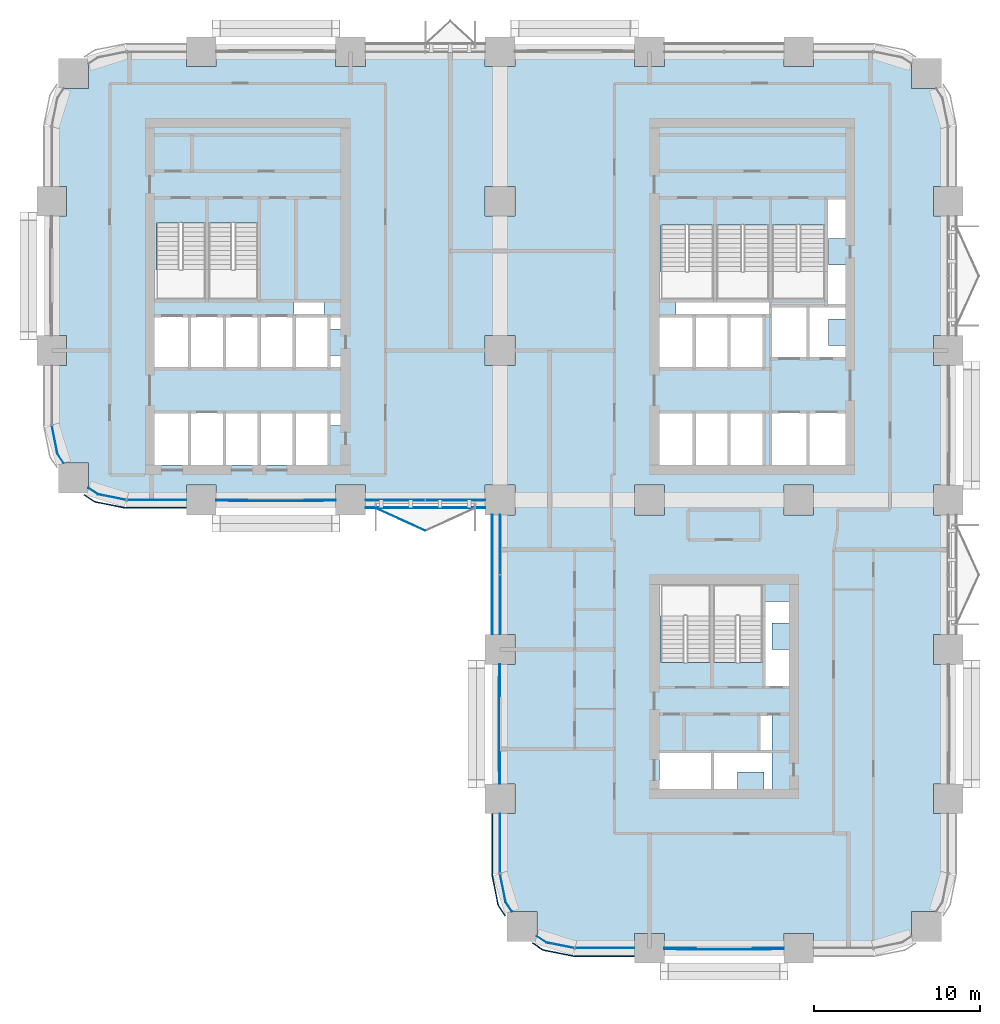
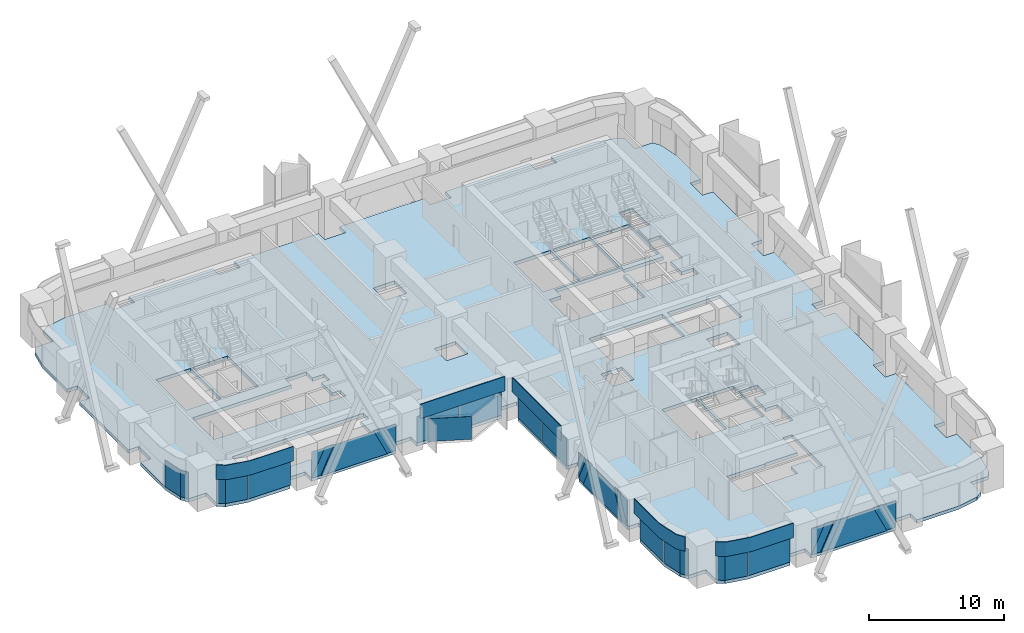
# One storey, part 10 of 19: 32 plates, 1 slab, 9 elements without a shape of their own.
"""IFC4 building model written with IfcOpenShell, lengths in metres."""

from ifc_helpers import new_model, si_unit, direction, frame, origin, origin_2d, place, context, subcontext, project, spatial, polyline, rectangle, outline, extrude, material, layer, layer_set, type_object, element, aggregate, save


model = new_model("IFC4")

# Units and contexts
model_context = context("Model", 3, precision=1e-05, world=origin(), true_north=direction((0.0, 1.0)))
body_context = subcontext(model_context, "Body", "Model", "MODEL_VIEW")
ifc_project = project(units=[si_unit("LENGTHUNIT", "METRE"), si_unit("AREAUNIT", "SQUARE_METRE"), si_unit("VOLUMEUNIT", "CUBIC_METRE"), si_unit("PLANEANGLEUNIT", "RADIAN"), si_unit("MASSUNIT", "GRAM", prefix="KILO")], contexts=[model_context])

# Site, building, storey
site_placement = place(None, origin())
site = spatial("IfcSite", under=ifc_project, at=site_placement, CompositionType="ELEMENT")
building_placement = place(site_placement, origin())
building = spatial("IfcBuilding", under=site, at=building_placement, Name="Tessera Arch", CompositionType="ELEMENT")
storey_placement = place(building_placement, frame((0.0, 0.0, 93.0)))
storey = spatial("IfcBuildingStorey", under=building, at=storey_placement, Name="L21", CompositionType="ELEMENT", Elevation=93.0)

# Curtain wall, plates
ifc_material_1 = material(Name="CW1 curtain wall")
curtain_wall_type_1 = type_object("IfcCurtainWallType", Name="CW1 curtain wall", PredefinedType="NOTDEFINED", material=ifc_material_1)
curtain_wall_1_placement = place(storey_placement, origin())
curtain_wall_1 = element("IfcCurtainWall", 1, at=curtain_wall_1_placement, inside=storey, type_object=curtain_wall_type_1, Name="CW1 curtain wall S27.0/2 L21", PredefinedType="NOTDEFINED")
ifc_material_2 = material(Name="Clear low-e glass", Category="glass")
ifc_material_3 = material(Name="Clear low-e glass", Category="glass")
ifc_layer_1 = layer(ifc_material_3, 0.028076171875)
ifc_layer_set_1 = layer_set([ifc_layer_1], Name="CW1 glass panel")
plate_type_1 = type_object("IfcPlateType", Name="CW1 glass panel", PredefinedType="CURTAIN_PANEL", material=ifc_layer_set_1)
plate_1_placement = place(storey_placement, frame((20.68505859375, 27.0, 0.0), z_axis=(0.0, 0.0, 1.0), x_axis=(1.0, 0.0, 0.0)))
plate_1 = element("IfcPlate", 2, at=plate_1_placement, type_object=plate_type_1, material=ifc_material_2, Name="CW1 glass panel S27.0/2 1.1.1", PredefinedType="CURTAIN_PANEL", context=body_context, shape_type="SweptSolid", body=[
    extrude(rectangle(XDim=3.570068359375, YDim=0.028076171875, at=origin_2d()), origin(), (0.0, 0.0, 1.0), 2.39990234375),
])
plate_2_placement = place(storey_placement, frame((24.31494140625, 27.0, 0.0), z_axis=(0.0, 0.0, 1.0), x_axis=(1.0, 0.0, 0.0)))
plate_2 = element("IfcPlate", 3, at=plate_2_placement, type_object=plate_type_1, material=ifc_material_2, Name="CW1 glass panel S27.0/2 1.2.1", PredefinedType="CURTAIN_PANEL", context=body_context, shape_type="SweptSolid", body=[
    extrude(rectangle(XDim=3.570068359375, YDim=0.028076171875, at=origin_2d()), origin(), (0.0, 0.0, 1.0), 2.39990234375),
])

curtain_wall_2_placement = place(storey_placement, origin())
curtain_wall_2 = element("IfcCurtainWall", 4, at=curtain_wall_2_placement, inside=storey, type_object=curtain_wall_type_1, Name="CW1 curtain wall W27.0/0 L21", PredefinedType="NOTDEFINED")
plate_3_placement = place(storey_placement, frame((27.0, 24.31494140625, 0.0), z_axis=(0.0, 0.0, 1.0), x_axis=(0.0, -1.0, 0.0)))
plate_3 = element("IfcPlate", 5, at=plate_3_placement, type_object=plate_type_1, material=ifc_material_2, Name="CW1 glass panel W27.0/0 1.1.1", PredefinedType="CURTAIN_PANEL", context=body_context, shape_type="SweptSolid", body=[
    extrude(rectangle(XDim=3.570068359375, YDim=0.028076171875, at=origin_2d()), origin(), (0.0, 0.0, 1.0), 2.39990234375),
])
plate_4_placement = place(storey_placement, frame((27.0, 20.68505859375, 0.0), z_axis=(0.0, 0.0, 1.0), x_axis=(0.0, -1.0, 0.0)))
plate_4 = element("IfcPlate", 6, at=plate_4_placement, type_object=plate_type_1, material=ifc_material_2, Name="CW1 glass panel W27.0/0 1.2.1", PredefinedType="CURTAIN_PANEL", context=body_context, shape_type="SweptSolid", body=[
    extrude(rectangle(XDim=3.570068359375, YDim=0.028076171875, at=origin_2d()), origin(), (0.0, 0.0, 1.0), 2.39990234375),
])

# Plate
ifc_material_4 = material(Name="Pale anodised aluminium panel", Category="aluminium")
ifc_layer_2 = layer(ifc_material_4, 0.06005859375)
ifc_layer_set_2 = layer_set([ifc_layer_2], Name="CW1 spandrel panel")
plate_type_2 = type_object("IfcPlateType", Name="CW1 spandrel panel", PredefinedType="CURTAIN_PANEL", material=ifc_layer_set_2)
plate_5_placement = place(storey_placement, frame((22.5, 26.52001953125, 2.5), z_axis=(0.0, 0.0, 1.0), x_axis=(1.0, 0.0, 0.0)))
plate_5 = element("IfcPlate", 7, at=plate_5_placement, type_object=plate_type_2, Name="CW1 spandrel panel S27.0/2", PredefinedType="CURTAIN_PANEL", context=body_context, shape_type="SweptSolid", body=[
    extrude(rectangle(XDim=7.199951171875, YDim=0.06005859375, at=origin_2d()), origin(), (0.0, 0.0, 1.0), 1.300048828125),
])

aggregate(curtain_wall_1, [plate_1, plate_2, plate_5])

plate_6_placement = place(storey_placement, frame((26.52001953125, 22.5, 2.5), z_axis=(0.0, 0.0, 1.0), x_axis=(0.0, -1.0, 0.0)))
plate_6 = element("IfcPlate", 8, at=plate_6_placement, type_object=plate_type_2, Name="CW1 spandrel panel W27.0/0", PredefinedType="CURTAIN_PANEL", context=body_context, shape_type="SweptSolid", body=[
    extrude(rectangle(XDim=7.199951171875, YDim=0.06005859375, at=origin_2d()), origin(), (0.0, 0.0, 1.0), 1.300048828125),
])

aggregate(curtain_wall_2, [plate_3, plate_4, plate_6])

# Curtain wall, plate
ifc_material_5 = material(Name="CW2 curtain wall")
curtain_wall_type_2 = type_object("IfcCurtainWallType", Name="CW2 curtain wall", PredefinedType="NOTDEFINED", material=ifc_material_5)
curtain_wall_3_placement = place(storey_placement, origin())
curtain_wall_3 = element("IfcCurtainWall", 9, at=curtain_wall_3_placement, inside=storey, type_object=curtain_wall_type_2, Name="CW2 curtain wall W0.27/2 L21", PredefinedType="NOTDEFINED")
ifc_material_6 = material(Name="Clear low-e glass", Category="glass")
ifc_layer_3 = layer(ifc_material_6, 0.028076171875)
ifc_layer_set_3 = layer_set([ifc_layer_3], Name="CW2 glass panel")
plate_type_3 = type_object("IfcPlateType", Name="CW2 glass panel", PredefinedType="CURTAIN_PANEL", material=ifc_layer_set_3)
plate_7_placement = place(storey_placement, origin())
plate_7 = element("IfcPlate", 10, at=plate_7_placement, type_object=plate_type_3, material=ifc_material_2, Name="CW2 curved glass panel W0.27/2 2.1", PredefinedType="CURTAIN_PANEL", context=body_context, shape_type="SweptSolid", body=[
    extrude(outline(polyline([(0.355712890625, 29.783447265625), (0.021484375, 31.46337890625), (-0.005859375, 31.4580078125), (0.329345703125, 29.7724609375), (0.705078125, 29.210205078125), (0.728271484375, 29.225830078125), (0.355712890625, 29.783447265625)])), origin(), (0.0, 0.0, 1.0), 2.39990234375),
])
aggregate(curtain_wall_3, [plate_7])

# Curtain wall, plates
curtain_wall_4_placement = place(storey_placement, origin())
curtain_wall_4 = element("IfcCurtainWall", 11, at=curtain_wall_4_placement, inside=storey, type_object=curtain_wall_type_2, Name="CW2 curtain wall S27.0/0 L21", PredefinedType="NOTDEFINED")
plate_8_placement = place(storey_placement, frame((6.320068359375, 27.0, 0.0), z_axis=(0.0, 0.0, 1.0), x_axis=(1.0, 0.0, 0.0)))
plate_8 = element("IfcPlate", 12, at=plate_8_placement, type_object=plate_type_3, material=ifc_material_2, Name="CW2 glass panel S27.0/0 1.1", PredefinedType="CURTAIN_PANEL", context=body_context, shape_type="SweptSolid", body=[
    extrude(rectangle(XDim=3.56005859375, YDim=0.028076171875, at=origin_2d()), origin(), (0.0, 0.0, 1.0), 2.39990234375),
])
plate_9_placement = place(storey_placement, origin())
plate_9 = element("IfcPlate", 13, at=plate_9_placement, type_object=plate_type_3, material=ifc_material_2, Name="CW2 curved glass panel S27.0/0 2.1", PredefinedType="CURTAIN_PANEL", context=body_context, shape_type="SweptSolid", body=[
    extrude(outline(polyline([(2.783447265625, 27.355712890625), (2.225830078125, 27.728271484375), (2.210205078125, 27.705078125), (2.7724609375, 27.329345703125), (4.4580078125, 26.994140625), (4.46337890625, 27.021484375), (2.783447265625, 27.355712890625)])), origin(), (0.0, 0.0, 1.0), 2.39990234375),
])

curtain_wall_5_placement = place(storey_placement, origin())
curtain_wall_5 = element("IfcCurtainWall", 14, at=curtain_wall_5_placement, inside=storey, type_object=curtain_wall_type_2, Name="CW2 curtain wall W27.0/2 L21", PredefinedType="NOTDEFINED")
plate_10_placement = place(storey_placement, frame((27.0, 6.320068359375, 0.0), z_axis=(0.0, 0.0, 1.0), x_axis=(0.0, -1.0, 0.0)))
plate_10 = element("IfcPlate", 15, at=plate_10_placement, type_object=plate_type_3, material=ifc_material_2, Name="CW2 glass panel W27.0/2 1.1", PredefinedType="CURTAIN_PANEL", context=body_context, shape_type="SweptSolid", body=[
    extrude(rectangle(XDim=3.56005859375, YDim=0.028076171875, at=origin_2d()), origin(), (0.0, 0.0, 1.0), 2.39990234375),
])
plate_11_placement = place(storey_placement, origin())
plate_11 = element("IfcPlate", 16, at=plate_11_placement, type_object=plate_type_3, material=ifc_material_2, Name="CW2 curved glass panel W27.0/2 2.1", PredefinedType="CURTAIN_PANEL", context=body_context, shape_type="SweptSolid", body=[
    extrude(outline(polyline([(27.355712890625, 2.783447265625), (27.021484375, 4.46337890625), (26.994140625, 4.4580078125), (27.329345703125, 2.7724609375), (27.705078125, 2.210205078125), (27.728271484375, 2.225830078125), (27.355712890625, 2.783447265625)])), origin(), (0.0, 0.0, 1.0), 2.39990234375),
])

curtain_wall_6_placement = place(storey_placement, origin())
curtain_wall_6 = element("IfcCurtainWall", 17, at=curtain_wall_6_placement, inside=storey, type_object=curtain_wall_type_2, Name="CW2 curtain wall S0.27/0 L21", PredefinedType="NOTDEFINED")
plate_12_placement = place(storey_placement, frame((33.320068359375, 0.0, 0.0), z_axis=(0.0, 0.0, 1.0), x_axis=(1.0, 0.0, 0.0)))
plate_12 = element("IfcPlate", 18, at=plate_12_placement, type_object=plate_type_3, material=ifc_material_2, Name="CW2 glass panel S0.27/0 1.1", PredefinedType="CURTAIN_PANEL", context=body_context, shape_type="SweptSolid", body=[
    extrude(rectangle(XDim=3.56005859375, YDim=0.028076171875, at=origin_2d()), origin(), (0.0, 0.0, 1.0), 2.39990234375),
])
plate_13_placement = place(storey_placement, origin())
plate_13 = element("IfcPlate", 19, at=plate_13_placement, type_object=plate_type_3, material=ifc_material_2, Name="CW2 curved glass panel S0.27/0 2.1", PredefinedType="CURTAIN_PANEL", context=body_context, shape_type="SweptSolid", body=[
    extrude(outline(polyline([(29.783447265625, 0.355712890625), (29.225830078125, 0.728271484375), (29.210205078125, 0.705078125), (29.7724609375, 0.329345703125), (31.4580078125, -0.005859375), (31.46337890625, 0.021484375), (29.783447265625, 0.355712890625)])), origin(), (0.0, 0.0, 1.0), 2.39990234375),
])

# Plate
ifc_material_7 = material(Name="Pale anodised aluminium panel", Category="aluminium")
ifc_layer_4 = layer(ifc_material_7, 0.06005859375)
ifc_layer_set_4 = layer_set([ifc_layer_4], Name="CW2 spandrel panel")
plate_type_4 = type_object("IfcPlateType", Name="CW2 spandrel panel", PredefinedType="CURTAIN_PANEL", material=ifc_layer_set_4)
plate_14_placement = place(storey_placement, frame((0.0, 0.0, 2.5)))
plate_14 = element("IfcPlate", 20, at=plate_14_placement, type_object=plate_type_4, Name="CW2 spandrel panel S27.0/0", PredefinedType="CURTAIN_PANEL", context=body_context, shape_type="SweptSolid", body=[
    extrude(outline(polyline([(2.52734375, 26.96875), (1.968017578125, 27.342529296875), (1.9345703125, 27.292724609375), (2.4951171875, 26.91796875), (2.537353515625, 26.892822265625), (2.582763671875, 26.871337890625), (2.6298828125, 26.8544921875), (2.677734375, 26.842529296875), (4.401123046875, 26.499755859375), (4.449951171875, 26.492431640625), (4.499267578125, 26.489990234375), (8.10009765625, 26.489990234375), (8.10009765625, 26.550048828125), (4.500732421875, 26.550048828125), (4.455810546875, 26.55224609375), (4.411376953125, 26.558837890625), (2.69091796875, 26.90087890625), (2.647216796875, 26.911865234375), (2.605712890625, 26.9267578125), (2.565673828125, 26.94580078125), (2.52734375, 26.96875)])), origin(), (0.0, 0.0, 1.0), 1.300048828125),
])

aggregate(curtain_wall_4, [plate_8, plate_9, plate_14])

plate_15_placement = place(storey_placement, frame((0.0, 0.0, 2.5)))
plate_15 = element("IfcPlate", 21, at=plate_15_placement, type_object=plate_type_4, Name="CW2 spandrel panel W27.0/2", PredefinedType="CURTAIN_PANEL", context=body_context, shape_type="SweptSolid", body=[
    extrude(outline(polyline([(26.550048828125, 4.500732421875), (26.550048828125, 8.10009765625), (26.489990234375, 8.10009765625), (26.489990234375, 4.499267578125), (26.492431640625, 4.449951171875), (26.499755859375, 4.401123046875), (26.842529296875, 2.677734375), (26.8544921875, 2.6298828125), (26.871337890625, 2.582763671875), (26.892822265625, 2.537353515625), (26.91796875, 2.4951171875), (27.292724609375, 1.9345703125), (27.342529296875, 1.968017578125), (26.96875, 2.52734375), (26.94580078125, 2.565673828125), (26.9267578125, 2.605712890625), (26.911865234375, 2.647216796875), (26.90087890625, 2.69091796875), (26.558837890625, 4.411376953125), (26.55224609375, 4.455810546875), (26.550048828125, 4.500732421875)])), origin(), (0.0, 0.0, 1.0), 1.300048828125),
])

aggregate(curtain_wall_5, [plate_10, plate_11, plate_15])

plate_16_placement = place(storey_placement, frame((0.0, 0.0, 2.5)))
plate_16 = element("IfcPlate", 22, at=plate_16_placement, type_object=plate_type_4, Name="CW2 spandrel panel S0.27/0", PredefinedType="CURTAIN_PANEL", context=body_context, shape_type="SweptSolid", body=[
    extrude(outline(polyline([(29.52734375, -0.03125), (28.968017578125, 0.342529296875), (28.9345703125, 0.292724609375), (29.4951171875, -0.08203125), (29.537353515625, -0.107177734375), (29.582763671875, -0.128662109375), (29.6298828125, -0.1455078125), (29.677734375, -0.157470703125), (31.401123046875, -0.500244140625), (31.449951171875, -0.507568359375), (31.499267578125, -0.510009765625), (35.10009765625, -0.510009765625), (35.10009765625, -0.449951171875), (31.500732421875, -0.449951171875), (31.455810546875, -0.44775390625), (31.411376953125, -0.441162109375), (29.69091796875, -0.09912109375), (29.647216796875, -0.088134765625), (29.605712890625, -0.0732421875), (29.565673828125, -0.05419921875), (29.52734375, -0.03125)])), origin(), (0.0, 0.0, 1.0), 1.300048828125),
])

aggregate(curtain_wall_6, [plate_12, plate_13, plate_16])

# Curtain wall, plates
ifc_material_8 = material(Name="CW3 curtain wall")
curtain_wall_type_3 = type_object("IfcCurtainWallType", Name="CW3 curtain wall", PredefinedType="NOTDEFINED", material=ifc_material_8)
curtain_wall_7_placement = place(storey_placement, origin())
curtain_wall_7 = element("IfcCurtainWall", 23, at=curtain_wall_7_placement, inside=storey, type_object=curtain_wall_type_3, Name="CW3 curtain wall S27.0/1 L21", PredefinedType="NOTDEFINED")
ifc_material_9 = material(Name="Pale anodised aluminium panel", Category="aluminium")
ifc_layer_5 = layer(ifc_material_9, 0.06005859375)
ifc_layer_set_5 = layer_set([ifc_layer_5], Name="CW3 diagonal panel")
plate_type_5 = type_object("IfcPlateType", Name="CW3 diagonal panel", PredefinedType="CURTAIN_PANEL", material=ifc_layer_set_5)
plate_17_placement = place(storey_placement, frame((17.10009765625, 26.969970703125, 0.0), z_axis=(0.0, -1.0, 0.0), x_axis=(0.0, 0.0, 1.0)))
plate_17 = element("IfcPlate", 24, at=plate_17_placement, type_object=plate_type_5, Name="CW3 diagonal panel S27.0/1 1", PredefinedType="CURTAIN_PANEL", context=body_context, shape_type="SweptSolid", body=[
    extrude(outline(polyline([(0.0, 0.0), (0.04248046875, 0.0), (2.39990234375, 1.11669921875), (2.39990234375, 1.9150390625), (0.0, 0.778076171875), (0.0, 0.0)])), origin(), (0.0, 0.0, -1.0), 0.06005859375),
])
plate_18_placement = place(storey_placement, frame((11.81494140625, 26.969970703125, 2.39990234375), z_axis=(0.0, -1.0, 0.0), x_axis=(-1.0, 0.0, 0.0)))
plate_18 = element("IfcPlate", 25, at=plate_18_placement, type_object=plate_type_5, Name="CW3 diagonal panel S27.0/1 2", PredefinedType="CURTAIN_PANEL", context=body_context, shape_type="SweptSolid", body=[
    extrude(outline(polyline([(0.0, 0.0), (0.79833984375, 0.0), (1.9150390625, 2.357421875), (1.9150390625, 2.39990234375), (1.136962890625, 2.39990234375), (0.0, 0.0)])), origin(), (0.0, 0.0, -1.0), 0.06005859375),
])

curtain_wall_8_placement = place(storey_placement, origin())
curtain_wall_8 = element("IfcCurtainWall", 26, at=curtain_wall_8_placement, inside=storey, type_object=curtain_wall_type_3, Name="CW3 curtain wall W27.0/1 L21", PredefinedType="NOTDEFINED")
plate_19_placement = place(storey_placement, frame((26.969970703125, 9.89990234375, 0.0), z_axis=(-1.0, 0.0, 0.0), x_axis=(0.0, 0.0, 1.0)))
plate_19 = element("IfcPlate", 27, at=plate_19_placement, type_object=plate_type_5, Name="CW3 diagonal panel W27.0/1 1", PredefinedType="CURTAIN_PANEL", context=body_context, shape_type="SweptSolid", body=[
    extrude(outline(polyline([(0.0, 0.0), (0.04248046875, 0.0), (2.39990234375, 1.11669921875), (2.39990234375, 1.9150390625), (0.0, 0.778076171875), (0.0, 0.0)])), origin(), (0.0, 0.0, -1.0), 0.06005859375),
])
plate_20_placement = place(storey_placement, frame((26.969970703125, 15.18505859375, 2.39990234375), z_axis=(-1.0, 0.0, 0.0), x_axis=(0.0, 1.0, 0.0)))
plate_20 = element("IfcPlate", 28, at=plate_20_placement, type_object=plate_type_5, Name="CW3 diagonal panel W27.0/1 2", PredefinedType="CURTAIN_PANEL", context=body_context, shape_type="SweptSolid", body=[
    extrude(outline(polyline([(0.0, 0.0), (0.79833984375, 0.0), (1.9150390625, 2.357421875), (1.9150390625, 2.39990234375), (1.136962890625, 2.39990234375), (0.0, 0.0)])), origin(), (0.0, 0.0, -1.0), 0.06005859375),
])

curtain_wall_9_placement = place(storey_placement, origin())
curtain_wall_9 = element("IfcCurtainWall", 29, at=curtain_wall_9_placement, inside=storey, type_object=curtain_wall_type_3, Name="CW3 curtain wall S0.27/1 L21", PredefinedType="NOTDEFINED")
plate_21_placement = place(storey_placement, frame((44.10009765625, -0.030029296875, 0.0), z_axis=(0.0, -1.0, 0.0), x_axis=(0.0, 0.0, 1.0)))
plate_21 = element("IfcPlate", 30, at=plate_21_placement, type_object=plate_type_5, Name="CW3 diagonal panel S0.27/1 1", PredefinedType="CURTAIN_PANEL", context=body_context, shape_type="SweptSolid", body=[
    extrude(outline(polyline([(0.0, 0.0), (0.04248046875, 0.0), (2.39990234375, 1.11669921875), (2.39990234375, 1.9150390625), (0.0, 0.778076171875), (0.0, 0.0)])), origin(), (0.0, 0.0, -1.0), 0.06005859375),
])
plate_22_placement = place(storey_placement, frame((38.81494140625, -0.030029296875, 2.39990234375), z_axis=(0.0, -1.0, 0.0), x_axis=(-1.0, 0.0, 0.0)))
plate_22 = element("IfcPlate", 31, at=plate_22_placement, type_object=plate_type_5, Name="CW3 diagonal panel S0.27/1 2", PredefinedType="CURTAIN_PANEL", context=body_context, shape_type="SweptSolid", body=[
    extrude(outline(polyline([(0.0, 0.0), (0.79833984375, 0.0), (1.9150390625, 2.357421875), (1.9150390625, 2.39990234375), (1.136962890625, 2.39990234375), (0.0, 0.0)])), origin(), (0.0, 0.0, -1.0), 0.06005859375),
])

# Plate
ifc_material_10 = material(Name="Clear low-e glass", Category="glass")
ifc_layer_6 = layer(ifc_material_10, 0.028076171875)
ifc_layer_set_6 = layer_set([ifc_layer_6], Name="CW3 glass panel")
plate_type_6 = type_object("IfcPlateType", Name="CW3 glass panel", PredefinedType="CURTAIN_PANEL", material=ifc_layer_set_6)
plate_23_placement = place(storey_placement, frame((9.89990234375, 26.94189453125, 2.39990234375), z_axis=(0.0, -1.0, 0.0), x_axis=(0.0, 0.0, -1.0)))
plate_23 = element("IfcPlate", 32, at=plate_23_placement, type_object=plate_type_6, material=ifc_material_2, Name="CW3 triangulated glass panel S27.0/1 1", PredefinedType="CURTAIN_PANEL", context=body_context, shape_type="SweptSolid", body=[
    extrude(outline(polyline([(0.0, 0.0), (2.357421875, 0.0), (0.0, 1.11669921875), (0.0, 0.0)])), origin(), (0.0, 0.0, -1.0), 0.028076171875),
])

plate_24_placement = place(storey_placement, frame((15.18505859375, 26.9140625, 2.39990234375), z_axis=(0.0, -1.0, 0.0), x_axis=(-1.0, 0.0, 0.0)))
plate_24 = element("IfcPlate", 33, at=plate_24_placement, type_object=plate_type_6, material=ifc_material_2, Name="CW3 triangulated glass panel S27.0/1 2", PredefinedType="CURTAIN_PANEL", context=body_context, shape_type="SweptSolid", body=[
    extrude(outline(polyline([(0.0, 0.0), (3.3701171875, 0.0), (4.507080078125, 2.39990234375), (-1.136962890625, 2.39990234375), (0.0, 0.0)])), origin(), (0.0, 0.0, -1.0), 0.028076171875),
])

plate_25_placement = place(storey_placement, frame((17.10009765625, 26.94189453125, 2.39990234375), z_axis=(0.0, -1.0, 0.0), x_axis=(-1.0, 0.0, 0.0)))
plate_25 = element("IfcPlate", 34, at=plate_25_placement, type_object=plate_type_6, material=ifc_material_2, Name="CW3 triangulated glass panel S27.0/1 3", PredefinedType="CURTAIN_PANEL", context=body_context, shape_type="SweptSolid", body=[
    extrude(outline(polyline([(0.0, 0.0), (1.11669921875, 0.0), (0.0, 2.357421875), (0.0, 0.0)])), origin(), (0.0, 0.0, -1.0), 0.028076171875),
])

aggregate(curtain_wall_7, [plate_23, plate_24, plate_25, plate_17, plate_18])

plate_26_placement = place(storey_placement, frame((26.94189453125, 17.10009765625, 2.39990234375), z_axis=(-1.0, 0.0, 0.0), x_axis=(0.0, 0.0, -1.0)))
plate_26 = element("IfcPlate", 35, at=plate_26_placement, type_object=plate_type_6, material=ifc_material_2, Name="CW3 triangulated glass panel W27.0/1 1", PredefinedType="CURTAIN_PANEL", context=body_context, shape_type="SweptSolid", body=[
    extrude(outline(polyline([(0.0, 0.0), (2.357421875, 0.0), (0.0, 1.11669921875), (0.0, 0.0)])), origin(), (0.0, 0.0, -1.0), 0.028076171875),
])

plate_27_placement = place(storey_placement, frame((26.9140625, 11.81494140625, 2.39990234375), z_axis=(-1.0, 0.0, 0.0), x_axis=(0.0, 1.0, 0.0)))
plate_27 = element("IfcPlate", 36, at=plate_27_placement, type_object=plate_type_6, material=ifc_material_2, Name="CW3 triangulated glass panel W27.0/1 2", PredefinedType="CURTAIN_PANEL", context=body_context, shape_type="SweptSolid", body=[
    extrude(outline(polyline([(0.0, 0.0), (3.3701171875, 0.0), (4.507080078125, 2.39990234375), (-1.136962890625, 2.39990234375), (0.0, 0.0)])), origin(), (0.0, 0.0, -1.0), 0.028076171875),
])

plate_28_placement = place(storey_placement, frame((26.94189453125, 9.89990234375, 2.39990234375), z_axis=(-1.0, 0.0, 0.0), x_axis=(0.0, 1.0, 0.0)))
plate_28 = element("IfcPlate", 37, at=plate_28_placement, type_object=plate_type_6, material=ifc_material_2, Name="CW3 triangulated glass panel W27.0/1 3", PredefinedType="CURTAIN_PANEL", context=body_context, shape_type="SweptSolid", body=[
    extrude(outline(polyline([(0.0, 0.0), (1.11669921875, 0.0), (0.0, 2.357421875), (0.0, 0.0)])), origin(), (0.0, 0.0, -1.0), 0.028076171875),
])

aggregate(curtain_wall_8, [plate_26, plate_27, plate_28, plate_19, plate_20])

plate_29_placement = place(storey_placement, frame((36.89990234375, -0.05810546875, 2.39990234375), z_axis=(0.0, -1.0, 0.0), x_axis=(0.0, 0.0, -1.0)))
plate_29 = element("IfcPlate", 38, at=plate_29_placement, type_object=plate_type_6, material=ifc_material_2, Name="CW3 triangulated glass panel S0.27/1 1", PredefinedType="CURTAIN_PANEL", context=body_context, shape_type="SweptSolid", body=[
    extrude(outline(polyline([(0.0, 0.0), (2.357421875, 0.0), (0.0, 1.11669921875), (0.0, 0.0)])), origin(), (0.0, 0.0, -1.0), 0.028076171875),
])

plate_30_placement = place(storey_placement, frame((42.18505859375, -0.0859375, 2.39990234375), z_axis=(0.0, -1.0, 0.0), x_axis=(-1.0, 0.0, 0.0)))
plate_30 = element("IfcPlate", 39, at=plate_30_placement, type_object=plate_type_6, material=ifc_material_2, Name="CW3 triangulated glass panel S0.27/1 2", PredefinedType="CURTAIN_PANEL", context=body_context, shape_type="SweptSolid", body=[
    extrude(outline(polyline([(0.0, 0.0), (3.3701171875, 0.0), (4.507080078125, 2.39990234375), (-1.136962890625, 2.39990234375), (0.0, 0.0)])), origin(), (0.0, 0.0, -1.0), 0.028076171875),
])

plate_31_placement = place(storey_placement, frame((44.10009765625, -0.05810546875, 2.39990234375), z_axis=(0.0, -1.0, 0.0), x_axis=(-1.0, 0.0, 0.0)))
plate_31 = element("IfcPlate", 40, at=plate_31_placement, type_object=plate_type_6, material=ifc_material_2, Name="CW3 triangulated glass panel S0.27/1 3", PredefinedType="CURTAIN_PANEL", context=body_context, shape_type="SweptSolid", body=[
    extrude(outline(polyline([(0.0, 0.0), (1.11669921875, 0.0), (0.0, 2.357421875), (0.0, 0.0)])), origin(), (0.0, 0.0, -1.0), 0.028076171875),
])

aggregate(curtain_wall_9, [plate_29, plate_30, plate_31, plate_21, plate_22])

# Slab
ifc_material_11 = material(Name="Concrete C40/50", Category="concrete")
ifc_layer_7 = layer(ifc_material_11, 0.300048828125)
ifc_layer_set_7 = layer_set([ifc_layer_7], Name="Floor slab 300 Concrete C40/50")
slab_type = type_object("IfcSlabType", Name="Floor slab 300 Concrete C40/50", PredefinedType="FLOOR", material=ifc_layer_set_7)
slab_placement = place(storey_placement, frame((0.0, 0.0, -0.300048828125)))
element("IfcSlab", 41, at=slab_placement, inside=storey, type_object=slab_type, Name="Floor slab L21 1", PredefinedType="FLOOR", context=body_context, shape_type="SweptSolid", body=[
    extrude(outline(polyline([(49.5, 54.0), (51.22216796875, 53.657470703125), (51.781982421875, 53.283447265625), (51.781982421875, 51.781982421875), (53.283447265625, 51.781982421875), (53.657470703125, 51.22216796875), (54.0, 49.5), (54.0, 45.89990234375), (53.10009765625, 45.89990234375), (53.10009765625, 44.10009765625), (54.0, 44.10009765625), (54.0, 36.89990234375), (53.10009765625, 36.89990234375), (53.10009765625, 35.10009765625), (54.0, 35.10009765625), (54.0, 27.89990234375), (53.10009765625, 27.89990234375), (53.10009765625, 26.10009765625), (54.0, 26.10009765625), (54.0, 18.89990234375), (53.10009765625, 18.89990234375), (53.10009765625, 17.10009765625), (54.0, 17.10009765625), (54.0, 9.89990234375), (53.10009765625, 9.89990234375), (53.10009765625, 8.10009765625), (54.0, 8.10009765625), (54.0, 4.5), (53.657470703125, 2.77783203125), (53.283447265625, 2.218017578125), (51.781982421875, 2.218017578125), (51.781982421875, 0.716552734375), (51.22216796875, 0.342529296875), (49.5, 0.0), (45.89990234375, 0.0), (45.89990234375, 0.89990234375), (44.10009765625, 0.89990234375), (44.10009765625, 0.0), (36.89990234375, 0.0), (36.89990234375, 0.89990234375), (35.10009765625, 0.89990234375), (35.10009765625, 0.0), (31.5, 0.0), (29.77783203125, 0.342529296875), (29.218017578125, 0.716552734375), (29.218017578125, 2.218017578125), (27.716552734375, 2.218017578125), (27.342529296875, 2.77783203125), (27.0, 4.5), (27.0, 8.10009765625), (27.89990234375, 8.10009765625), (27.89990234375, 9.89990234375), (27.0, 9.89990234375), (27.0, 17.10009765625), (27.89990234375, 17.10009765625), (27.89990234375, 18.89990234375), (27.0, 18.89990234375), (27.0, 26.10009765625), (27.89990234375, 26.10009765625), (27.89990234375, 27.89990234375), (26.10009765625, 27.89990234375), (26.10009765625, 27.0), (18.89990234375, 27.0), (18.89990234375, 27.89990234375), (17.10009765625, 27.89990234375), (17.10009765625, 27.0), (9.89990234375, 27.0), (9.89990234375, 27.89990234375), (8.10009765625, 27.89990234375), (8.10009765625, 27.0), (4.5, 27.0), (2.77783203125, 27.342529296875), (2.218017578125, 27.716552734375), (2.218017578125, 29.218017578125), (0.716552734375, 29.218017578125), (0.342529296875, 29.77783203125), (0.0, 31.5), (0.0, 35.10009765625), (0.89990234375, 35.10009765625), (0.89990234375, 36.89990234375), (0.0, 36.89990234375), (0.0, 44.10009765625), (0.89990234375, 44.10009765625), (0.89990234375, 45.89990234375), (0.0, 45.89990234375), (0.0, 49.5), (0.342529296875, 51.22216796875), (0.716552734375, 51.781982421875), (2.218017578125, 51.781982421875), (2.218017578125, 53.283447265625), (2.77783203125, 53.657470703125), (4.5, 54.0), (8.10009765625, 54.0), (8.10009765625, 53.10009765625), (9.89990234375, 53.10009765625), (9.89990234375, 54.0), (17.10009765625, 54.0), (17.10009765625, 53.10009765625), (18.89990234375, 53.10009765625), (18.89990234375, 54.0), (26.10009765625, 54.0), (26.10009765625, 53.10009765625), (27.89990234375, 53.10009765625), (27.89990234375, 54.0), (35.10009765625, 54.0), (35.10009765625, 53.10009765625), (36.89990234375, 53.10009765625), (36.89990234375, 54.0), (44.10009765625, 54.0), (44.10009765625, 53.10009765625), (45.89990234375, 53.10009765625), (45.89990234375, 54.0), (49.5, 54.0)]), holes=[polyline([(6.199951171875, 32.300048828125), (6.199951171875, 29.10009765625), (8.300048828125, 29.10009765625), (10.39990234375, 29.10009765625), (12.5, 29.10009765625), (14.60009765625, 29.10009765625), (16.699951171875, 29.10009765625), (16.699951171875, 31.5), (17.39990234375, 31.5), (17.39990234375, 32.300048828125), (16.699951171875, 32.300048828125), (14.60009765625, 32.300048828125), (12.5, 32.300048828125), (10.39990234375, 32.300048828125), (8.300048828125, 32.300048828125), (6.199951171875, 32.300048828125)]), polyline([(14.60009765625, 34.89990234375), (16.699951171875, 34.89990234375), (17.39990234375, 34.89990234375), (17.39990234375, 35.699951171875), (16.699951171875, 35.699951171875), (16.699951171875, 37.300048828125), (17.39990234375, 37.300048828125), (17.39990234375, 38.10009765625), (16.699951171875, 38.10009765625), (16.39990234375, 38.10009765625), (16.39990234375, 39.0), (14.60009765625, 39.0), (14.60009765625, 38.10009765625), (12.5, 38.10009765625), (10.39990234375, 38.10009765625), (8.300048828125, 38.10009765625), (6.199951171875, 38.10009765625), (6.199951171875, 34.89990234375), (8.300048828125, 34.89990234375), (10.39990234375, 34.89990234375), (12.5, 34.89990234375), (14.60009765625, 34.89990234375)]), polyline([(11.0, 43.699951171875), (10.85009765625, 43.699951171875), (10.85009765625, 43.68994140625), (9.449951171875, 43.68994140625), (9.449951171875, 39.199951171875), (12.39990234375, 39.199951171875), (12.39990234375, 43.68994140625), (11.0, 43.68994140625), (11.0, 43.699951171875)]), polyline([(7.85009765625, 43.699951171875), (7.699951171875, 43.699951171875), (7.699951171875, 43.68994140625), (6.300048828125, 43.68994140625), (6.300048828125, 39.199951171875), (9.25, 39.199951171875), (9.25, 43.68994140625), (7.85009765625, 43.68994140625), (7.85009765625, 43.699951171875)]), polyline([(43.39990234375, 9.60009765625), (43.39990234375, 11.89990234375), (43.39990234375, 14.10009765625), (42.60009765625, 14.10009765625), (42.60009765625, 11.89990234375), (39.800048828125, 11.89990234375), (39.800048828125, 11.85009765625), (36.60009765625, 11.85009765625), (36.60009765625, 9.60009765625), (39.800048828125, 9.60009765625), (41.300048828125, 9.60009765625), (41.300048828125, 10.60009765625), (42.89990234375, 10.60009765625), (42.89990234375, 9.60009765625), (43.39990234375, 9.60009765625)]), polyline([(41.25, 17.199951171875), (41.39990234375, 17.199951171875), (41.39990234375, 17.2099609375), (42.800048828125, 17.2099609375), (42.800048828125, 21.699951171875), (39.85009765625, 21.699951171875), (39.85009765625, 17.2099609375), (41.25, 17.2099609375), (41.25, 17.199951171875)]), polyline([(38.10009765625, 17.199951171875), (38.25, 17.199951171875), (38.25, 17.2099609375), (39.64990234375, 17.2099609375), (39.64990234375, 21.699951171875), (36.699951171875, 21.699951171875), (36.699951171875, 17.2099609375), (38.10009765625, 17.2099609375), (38.10009765625, 17.199951171875)]), polyline([(35.10009765625, 26.10009765625), (36.89990234375, 26.10009765625), (36.89990234375, 27.89990234375), (35.10009765625, 27.89990234375), (35.10009765625, 26.10009765625)]), polyline([(38.699951171875, 29.10009765625), (40.800048828125, 29.10009765625), (42.89990234375, 29.10009765625), (42.89990234375, 32.300048828125), (40.800048828125, 32.300048828125), (38.699951171875, 32.300048828125), (36.60009765625, 32.300048828125), (36.60009765625, 29.10009765625), (38.699951171875, 29.10009765625)]), polyline([(26.10009765625, 35.10009765625), (27.89990234375, 35.10009765625), (27.89990234375, 36.89990234375), (26.10009765625, 36.89990234375), (26.10009765625, 35.10009765625)]), polyline([(43.300048828125, 39.0), (37.60009765625, 39.0), (37.60009765625, 38.10009765625), (36.60009765625, 38.10009765625), (36.60009765625, 34.89990234375), (38.699951171875, 34.89990234375), (40.800048828125, 34.89990234375), (42.89990234375, 34.89990234375), (42.89990234375, 38.10009765625), (43.300048828125, 38.10009765625), (43.300048828125, 35.5), (45.550048828125, 35.5), (47.800048828125, 35.5), (47.800048828125, 36.300048828125), (46.800048828125, 36.300048828125), (46.800048828125, 37.89990234375), (47.800048828125, 37.89990234375), (47.800048828125, 38.699951171875), (47.800048828125, 41.14990234375), (46.800048828125, 41.14990234375), (46.800048828125, 42.75), (47.800048828125, 42.75), (47.800048828125, 45.199951171875), (46.64990234375, 45.199951171875), (46.64990234375, 38.699951171875), (45.550048828125, 38.699951171875), (43.300048828125, 38.699951171875), (43.300048828125, 39.0)]), polyline([(38.330078125, 43.580078125), (38.219970703125, 43.580078125), (38.219970703125, 43.570068359375), (36.699951171875, 43.570068359375), (36.699951171875, 39.199951171875), (39.85009765625, 39.199951171875), (39.85009765625, 43.570068359375), (38.330078125, 43.570068359375), (38.330078125, 43.580078125)]), polyline([(26.10009765625, 44.10009765625), (27.89990234375, 44.10009765625), (27.89990234375, 45.89990234375), (26.10009765625, 45.89990234375), (26.10009765625, 44.10009765625)]), polyline([(42.89990234375, 15.699951171875), (44.39990234375, 15.699951171875), (44.39990234375, 18.0), (43.39990234375, 18.0), (43.39990234375, 19.60009765625), (44.39990234375, 19.60009765625), (44.39990234375, 20.89990234375), (42.89990234375, 20.89990234375), (42.89990234375, 15.699951171875)]), polyline([(44.10009765625, 26.10009765625), (45.89990234375, 26.10009765625), (45.89990234375, 27.89990234375), (44.10009765625, 27.89990234375), (44.10009765625, 26.10009765625)]), polyline([(45.550048828125, 29.10009765625), (47.800048828125, 29.10009765625), (47.800048828125, 32.300048828125), (45.550048828125, 32.300048828125), (43.300048828125, 32.300048828125), (43.300048828125, 29.10009765625), (45.550048828125, 29.10009765625)]), polyline([(45.030029296875, 43.580078125), (44.919921875, 43.580078125), (44.919921875, 43.570068359375), (43.39990234375, 43.570068359375), (43.39990234375, 39.199951171875), (46.550048828125, 39.199951171875), (46.550048828125, 43.570068359375), (45.030029296875, 43.570068359375), (45.030029296875, 43.580078125)]), polyline([(41.679931640625, 43.580078125), (41.570068359375, 43.580078125), (41.570068359375, 43.570068359375), (40.050048828125, 43.570068359375), (40.050048828125, 39.199951171875), (43.199951171875, 39.199951171875), (43.199951171875, 43.570068359375), (41.679931640625, 43.570068359375), (41.679931640625, 43.580078125)])]), origin(), (0.0, 0.0, 1.0), 0.300048828125),
])

# Plate
ifc_material_12 = material(Name="Clear low-e glass", Category="glass")
ifc_layer_8 = layer(ifc_material_12, 0.028076171875)
ifc_layer_set_8 = layer_set([ifc_layer_8], Name="Window box glass facet")
plate_type_7 = type_object("IfcPlateType", Name="Window box glass facet", PredefinedType="SHEET", material=ifc_layer_set_8)
plate_32_placement = place(storey_placement, frame((21.02490234375, 25.820068359375, 0.219970703125), z_axis=(0.0, 0.0, 1.0), x_axis=(0.910472144558, -0.413570397858, 0.0)))
element("IfcPlate", 42, at=plate_32_placement, inside=storey, type_object=plate_type_7, Name="Window box S27.0/2.0 2x1 glass", PredefinedType="SHEET", context=body_context, shape_type="SweptSolid", body=[
    extrude(rectangle(XDim=3.239990234375, YDim=0.028076171875, at=origin_2d()), origin(), (0.0, 0.0, 1.0), 2.06005859375),
])

save(model, "model.ifc")
